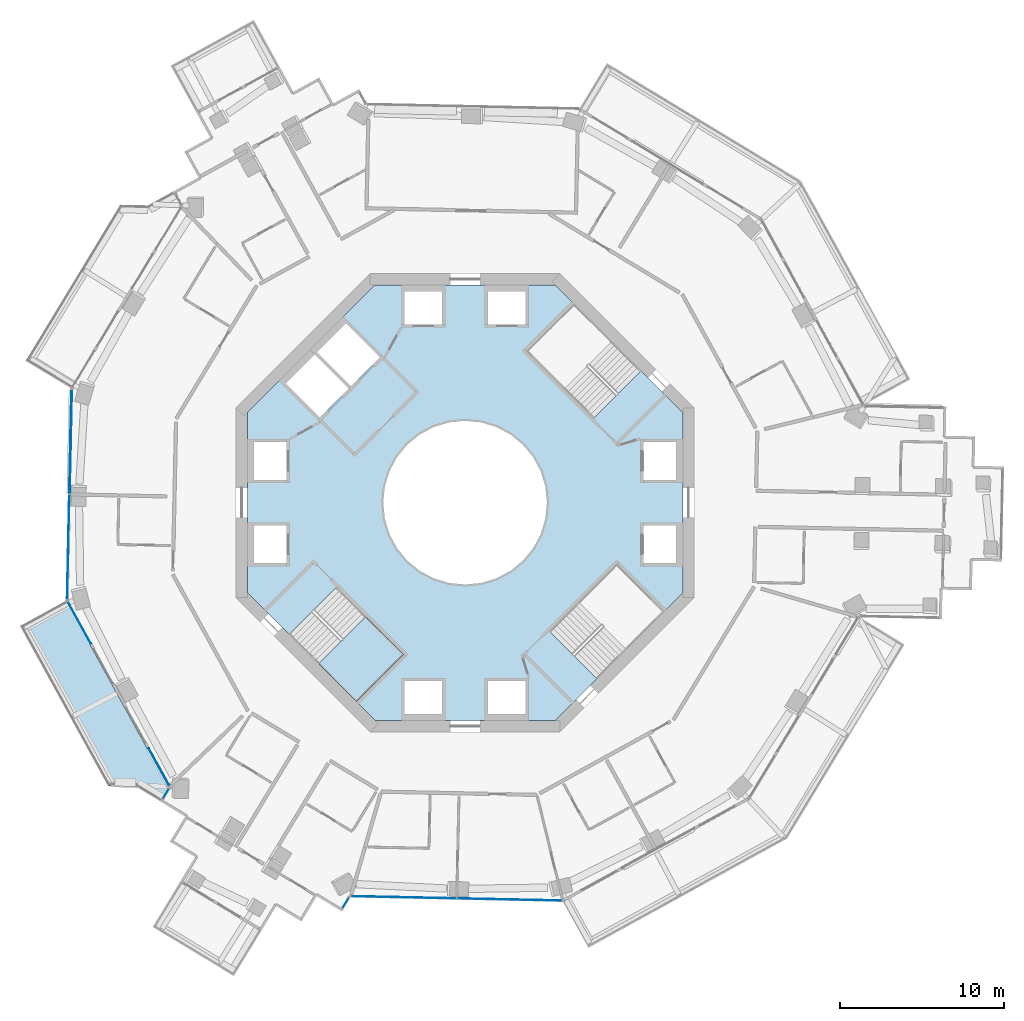
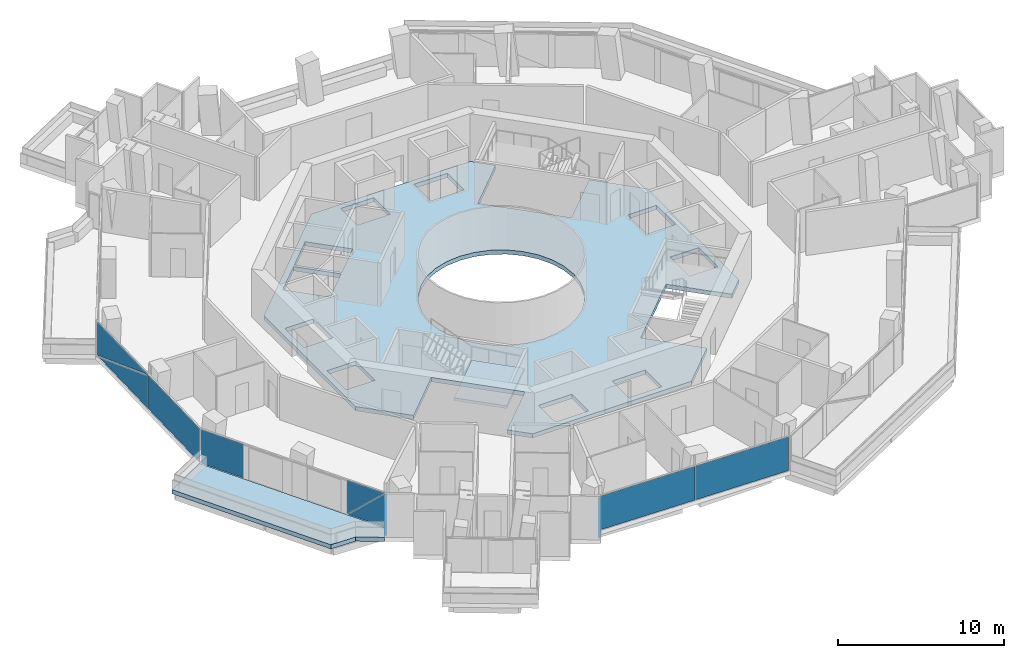
# One storey, part 11 of 22: 10 plates, 3 slabs, 6 elements without a shape of their own.
"""IFC4 building model written with IfcOpenShell, lengths in metres."""

from ifc_helpers import new_model, si_unit, direction, frame, origin, origin_2d, place, context, subcontext, project, spatial, polyline, rectangle, outline, extrude, material, layer, layer_set, type_object, element, aggregate, save


model = new_model("IFC4")

# Units and contexts
model_context = context("Model", 3, precision=1e-05, world=origin(), true_north=direction((0.0, 1.0)))
body_context = subcontext(model_context, "Body", "Model", "MODEL_VIEW")
ifc_project = project(units=[si_unit("LENGTHUNIT", "METRE"), si_unit("AREAUNIT", "SQUARE_METRE"), si_unit("VOLUMEUNIT", "CUBIC_METRE"), si_unit("PLANEANGLEUNIT", "RADIAN"), si_unit("MASSUNIT", "GRAM", prefix="KILO")], contexts=[model_context])

# Site, building, storey
site_placement = place(None, origin())
site = spatial("IfcSite", under=ifc_project, at=site_placement, CompositionType="ELEMENT")
building_placement = place(site_placement, origin())
building = spatial("IfcBuilding", under=site, at=building_placement, Name="Verdalira Terraces Hotel", CompositionType="ELEMENT")
storey_placement = place(building_placement, frame((0.0, 0.0, 150.5)))
storey = spatial("IfcBuildingStorey", under=building, at=storey_placement, Name="L36", CompositionType="ELEMENT", Elevation=150.5)

# Slab
ifc_material_1 = material(Name="Precast concrete C40/50", Category="concrete")
ifc_layer_1 = layer(ifc_material_1, 0.31005859375)
ifc_layer_set_1 = layer_set([ifc_layer_1], Name="Balcony deck 310")
slab_type_1 = type_object("IfcSlabType", Name="Balcony deck 310", PredefinedType="FLOOR", material=ifc_layer_set_1)
slab_1_placement = place(storey_placement, frame((0.0, 0.0, -0.310059)))
element("IfcSlab", 1, at=slab_1_placement, inside=storey, type_object=slab_type_1, Name="Balcony deck", PredefinedType="FLOOR", context=body_context, shape_type="SweptSolid", body=[
    extrude(outline(polyline([(-27.193359, -7.532227), (-21.820557, -17.305176), (-20.125977, -17.340576), (-18.644287, -18.237793), (-18.126221, -17.382568), (-24.38916, -5.990479), (-27.193359, -7.532227)])), origin(), (0.0, 0.0, 1.0), 0.310059),
])

# Curtain wall, plates
ifc_material_2 = material(Name="Clear glass", Category="glass")
ifc_layer_2 = layer(ifc_material_2, 0.14990234375)
ifc_layer_set_2 = layer_set([ifc_layer_2], Name="CW1 curtain wall")
curtain_wall_type_1 = type_object("IfcCurtainWallType", Name="CW1 curtain wall", PredefinedType="NOTDEFINED", material=ifc_layer_set_2)
curtain_wall_1_placement = place(storey_placement, origin())
curtain_wall_1 = element("IfcCurtainWall", 2, at=curtain_wall_1_placement, inside=storey, type_object=curtain_wall_type_1, Name="CW1 curtain wall L36 edge 12", PredefinedType="NOTDEFINED")
ifc_material_3 = material(Name="Clear glass", Category="glass")
ifc_layer_3 = layer(ifc_material_3, 0.028076171875)
ifc_layer_set_3 = layer_set([ifc_layer_3], Name="CW1 glass unit 28")
plate_type_1 = type_object("IfcPlateType", Name="CW1 glass unit 28", PredefinedType="CURTAIN_PANEL", material=ifc_layer_set_3)
plate_1_placement = place(storey_placement, frame((-24.09668, 3.720459, 1.237549), z_axis=(-0.999780683, 0.02094242, 0.0), x_axis=(-0.02094242, -0.999780683, 0.0)))
plate_1 = element("IfcPlate", 3, at=plate_1_placement, type_object=plate_type_1, Name="CW1 glass unit", PredefinedType="CURTAIN_PANEL", context=body_context, shape_type="SweptSolid", body=[
    extrude(outline(polyline([(-3.185059, -1.237549), (3.185059, -1.237549), (3.185059, 1.237549), (-3.185059, -1.237549)])), origin(), (0.0, 0.0, 1.0), 0.028076),
])
plate_2_placement = place(storey_placement, frame((-24.067627, 3.719727, 1.237549), z_axis=(-0.999780683, 0.02094242, 0.0), x_axis=(-0.02094242, -0.999780683, 0.0)))
plate_2 = element("IfcPlate", 4, at=plate_2_placement, type_object=plate_type_1, Name="CW1 glass unit", PredefinedType="CURTAIN_PANEL", context=body_context, shape_type="SweptSolid", body=[
    extrude(outline(polyline([(-3.185059, -1.237549), (3.185059, 1.237549), (-3.185059, 1.237549), (-3.185059, -1.237549)])), origin(), (0.0, 0.0, 1.0), 0.028076),
])
plate_3_placement = place(storey_placement, frame((-24.245361, -2.707764, 0.0), z_axis=(0.0, 0.0, 1.0), x_axis=(-0.02094242, -0.999780683, 0.0)))
plate_3 = element("IfcPlate", 5, at=plate_3_placement, type_object=plate_type_1, Name="CW1 glass unit", PredefinedType="CURTAIN_PANEL", context=body_context, shape_type="SweptSolid", body=[
    extrude(rectangle(XDim=6.369873, YDim=0.028076, at=origin_2d()), origin(), (0.0, 0.0, 1.0), 2.475098),
])
aggregate(curtain_wall_1, [plate_1, plate_2, plate_3])

curtain_wall_2_placement = place(storey_placement, origin())
curtain_wall_2 = element("IfcCurtainWall", 6, at=curtain_wall_2_placement, inside=storey, type_object=curtain_wall_type_1, Name="CW1 curtain wall L36 edge 13", PredefinedType="NOTDEFINED")
plate_4_placement = place(storey_placement, frame((-23.570557, -7.32373, 0.0), z_axis=(0.0, 0.0, 1.0), x_axis=(0.481753674, -0.87630668, 0.0)))
plate_4 = element("IfcPlate", 7, at=plate_4_placement, type_object=plate_type_1, Name="CW1 glass unit", PredefinedType="CURTAIN_PANEL", context=body_context, shape_type="SweptSolid", body=[
    extrude(rectangle(XDim=2.924805, YDim=0.028076, at=origin_2d()), origin(), (0.0, 0.0, 1.0), 2.475098),
])
plate_5_placement = place(storey_placement, frame((-18.70459, -16.145752, 1.237549), z_axis=(-0.87630668, -0.481753674, 0.0), x_axis=(0.481753674, -0.87630668, 0.0)))
plate_5 = element("IfcPlate", 8, at=plate_5_placement, type_object=plate_type_1, Name="CW1 glass unit", PredefinedType="CURTAIN_PANEL", context=body_context, shape_type="SweptSolid", body=[
    extrude(outline(polyline([(-1.302246, -1.237549), (1.302246, -1.237549), (1.302246, 1.237549), (-1.302246, -1.237549)])), origin(), (0.0, 0.0, 1.0), 0.028076),
])
plate_6_placement = place(storey_placement, frame((-18.678955, -16.131836, 1.237549), z_axis=(-0.87630668, -0.481753674, 0.0), x_axis=(0.481753674, -0.87630668, 0.0)))
plate_6 = element("IfcPlate", 9, at=plate_6_placement, type_object=plate_type_1, Name="CW1 glass unit", PredefinedType="CURTAIN_PANEL", context=body_context, shape_type="SweptSolid", body=[
    extrude(outline(polyline([(-1.302246, -1.237549), (1.302246, 1.237549), (-1.302246, 1.237549), (-1.302246, -1.237549)])), origin(), (0.0, 0.0, 1.0), 0.028076),
])
aggregate(curtain_wall_2, [plate_4, plate_5, plate_6])

curtain_wall_3_placement = place(storey_placement, origin())
curtain_wall_3 = element("IfcCurtainWall", 10, at=curtain_wall_3_placement, inside=storey, type_object=curtain_wall_type_1, Name="CW1 curtain wall L36 edge 25", PredefinedType="NOTDEFINED")
plate_7_placement = place(storey_placement, frame((-3.740723, -24.110352, 0.0), z_axis=(0.0, 0.0, 1.0), x_axis=(0.999780683, -0.02094242, 0.0)))
plate_7 = element("IfcPlate", 11, at=plate_7_placement, type_object=plate_type_1, Name="CW1 glass unit", PredefinedType="CURTAIN_PANEL", context=body_context, shape_type="SweptSolid", body=[
    extrude(rectangle(XDim=6.409912, YDim=0.028076, at=origin_2d()), origin(), (0.0, 0.0, 1.0), 2.475098),
])
plate_8_placement = place(storey_placement, frame((2.707764, -24.245361, 0.0), z_axis=(0.0, 0.0, 1.0), x_axis=(0.999780683, -0.02094242, 0.0)))
plate_8 = element("IfcPlate", 12, at=plate_8_placement, type_object=plate_type_1, Name="CW1 glass unit", PredefinedType="CURTAIN_PANEL", context=body_context, shape_type="SweptSolid", body=[
    extrude(rectangle(XDim=6.369873, YDim=0.028076, at=origin_2d()), origin(), (0.0, 0.0, 1.0), 2.475098),
])
aggregate(curtain_wall_3, [plate_7, plate_8])

# Curtain wall, plate
ifc_material_4 = material(Name="Clear glass", Category="glass")
ifc_layer_4 = layer(ifc_material_4, 0.14990234375)
ifc_layer_set_4 = layer_set([ifc_layer_4], Name="CW2 curtain wall")
curtain_wall_type_2 = type_object("IfcCurtainWallType", Name="CW2 curtain wall", PredefinedType="NOTDEFINED", material=ifc_layer_set_4)
curtain_wall_4_placement = place(storey_placement, origin())
curtain_wall_4 = element("IfcCurtainWall", 13, at=curtain_wall_4_placement, inside=storey, type_object=curtain_wall_type_2, Name="CW2 curtain wall L36 edge 14", PredefinedType="NOTDEFINED")
ifc_material_5 = material(Name="Clear glass", Category="glass")
ifc_layer_5 = layer(ifc_material_5, 0.031982421875)
ifc_layer_set_5 = layer_set([ifc_layer_5], Name="CW2 glass unit 32")
plate_type_2 = type_object("IfcPlateType", Name="CW2 glass unit 32", PredefinedType="CURTAIN_PANEL", material=ifc_layer_set_5)
plate_9_placement = place(storey_placement, frame((-18.282227, -17.784912, 0.0), z_axis=(0.0, 0.0, 1.0), x_axis=(-0.518027009, -0.85536426, 0.0)))
plate_9 = element("IfcPlate", 14, at=plate_9_placement, type_object=plate_type_2, Name="CW2 glass unit", PredefinedType="CURTAIN_PANEL", context=body_context, shape_type="SweptSolid", body=[
    extrude(rectangle(XDim=0.709961, YDim=0.031982, at=origin_2d()), origin(), (0.0, 0.0, 1.0), 2.475098),
])
aggregate(curtain_wall_4, [plate_9])

curtain_wall_5_placement = place(storey_placement, origin())
curtain_wall_5 = element("IfcCurtainWall", 15, at=curtain_wall_5_placement, inside=storey, type_object=curtain_wall_type_2, Name="CW2 curtain wall L36 edge 24", PredefinedType="NOTDEFINED")
plate_10_placement = place(storey_placement, frame((-7.291016, -24.44165, 0.0), z_axis=(0.0, 0.0, 1.0), x_axis=(0.518027009, 0.85536426, 0.0)))
plate_10 = element("IfcPlate", 16, at=plate_10_placement, type_object=plate_type_2, Name="CW2 glass unit", PredefinedType="CURTAIN_PANEL", context=body_context, shape_type="SweptSolid", body=[
    extrude(rectangle(XDim=0.709961, YDim=0.031982, at=origin_2d()), origin(), (0.0, 0.0, 1.0), 2.475098),
])
aggregate(curtain_wall_5, [plate_10])

# Slab
ifc_material_6 = material(Name="Concrete C40", Category="concrete")
ifc_layer_6 = layer(ifc_material_6, 0.31005859375)
ifc_layer_set_6 = layer_set([ifc_layer_6], Name="Core floor slab 310 mm")
slab_type_2 = type_object("IfcSlabType", Name="Core floor slab 310 mm", PredefinedType="FLOOR", material=ifc_layer_set_6)
slab_2_placement = place(storey_placement, frame((0.0, 0.0, -0.310059)))
element("IfcSlab", 17, at=slab_2_placement, inside=storey, type_object=slab_type_2, Name="L36 core floor", PredefinedType="FLOOR", context=body_context, shape_type="SweptSolid", body=[
    extrude(outline(polyline([(-5.509033, 13.300049), (5.509033, 13.300049), (6.632812, 12.176514), (3.719482, 9.263184), (7.834473, 5.148193), (10.747803, 8.061279), (13.300049, 5.509033), (13.300049, -5.509033), (12.176514, -6.632812), (9.263184, -3.719482), (5.148193, -7.834473), (8.061279, -10.747803), (5.509033, -13.300049), (-5.509033, -13.300049), (-6.632812, -12.176514), (-3.719482, -9.263184), (-7.834473, -5.148193), (-10.747803, -8.061279), (-13.300049, -5.509033), (-13.300049, 5.509033), (-5.509033, 13.300049)]), holes=[polyline([(12.899902, -3.699951), (12.899902, -1.399902), (10.899902, -1.399902), (10.899902, -3.699951), (12.899902, -3.699951)]), polyline([(12.899902, 1.399902), (12.899902, 3.699951), (10.899902, 3.699951), (10.899902, 1.399902), (12.899902, 1.399902)]), polyline([(1.399902, 10.899902), (3.699951, 10.899902), (3.699951, 12.899902), (1.399902, 12.899902), (1.399902, 10.899902)]), polyline([(-3.699951, 10.899902), (-1.399902, 10.899902), (-1.399902, 12.899902), (-3.699951, 12.899902), (-3.699951, 10.899902)]), polyline([(-12.899902, 3.699951), (-12.899902, 1.399902), (-10.899902, 1.399902), (-10.899902, 3.699951), (-12.899902, 3.699951)]), polyline([(-12.899902, -1.399902), (-12.899902, -3.699951), (-10.899902, -3.699951), (-10.899902, -1.399902), (-12.899902, -1.399902)]), polyline([(-1.399902, -10.899902), (-3.699951, -10.899902), (-3.699951, -12.899902), (-1.399902, -12.899902), (-1.399902, -10.899902)]), polyline([(3.699951, -10.899902), (1.399902, -10.899902), (1.399902, -12.899902), (3.699951, -12.899902), (3.699951, -10.899902)]), polyline([(-9.051025, 9.192383), (-6.965088, 7.106445), (-5.197266, 8.874268), (-7.283203, 10.960205), (-9.051025, 9.192383)]), polyline([(-9.192383, 9.051025), (-10.960205, 7.283203), (-8.874268, 5.197266), (-7.106445, 6.965088), (-9.192383, 9.051025)]), polyline([(3.5354, 3.5354), (2.777832, 4.157227), (1.91333, 4.619385), (0.975586, 4.903809), (0.0, 5.0), (-0.975586, 4.903809), (-1.91333, 4.619385), (-2.777832, 4.157227), (-3.5354, 3.5354), (-4.157227, 2.777832), (-4.619385, 1.91333), (-4.903809, 0.975586), (-5.0, 0.0), (-4.903809, -0.975586), (-4.619385, -1.91333), (-4.157227, -2.777832), (-3.5354, -3.5354), (-2.777832, -4.157227), (-1.91333, -4.619385), (-0.975586, -4.903809), (0.0, -5.0), (0.975586, -4.903809), (1.91333, -4.619385), (2.777832, -4.157227), (3.5354, -3.5354), (4.157227, -2.777832), (4.619385, -1.91333), (4.903809, -0.975586), (5.0, 0.0), (4.903809, 0.975586), (4.619385, 1.91333), (4.157227, 2.777832), (3.5354, 3.5354)])]), origin(), (0.0, 0.0, 1.0), 0.310059),
])

# Stair, slab
ifc_material_7 = material(Name="Concrete C40", Category="concrete")
stair_type = type_object("IfcStairType", Name="Core stair 20 risers 2000 mm wide", PredefinedType="HALF_TURN_STAIR", material=ifc_material_7)
stair_placement = place(storey_placement, origin())
stair = element("IfcStair", 18, at=stair_placement, inside=storey, type_object=stair_type, Name="L36 Exit stair ST2", PredefinedType="HALF_TURN_STAIR")
ifc_material_8 = material(Name="Concrete C40", Category="concrete")
ifc_layer_7 = layer(ifc_material_8, 0.199951171875)
ifc_layer_set_7 = layer_set([ifc_layer_7], Name="Core stair landing 200 mm")
slab_type_3 = type_object("IfcSlabType", Name="Core stair landing 200 mm", PredefinedType="LANDING", material=ifc_layer_set_7)
slab_3_placement = place(storey_placement, frame((0.0, 0.0, 1.550049)))
slab_3 = element("IfcSlab", 19, at=slab_3_placement, type_object=slab_type_3, Name="ST2 landing 1", PredefinedType="LANDING", context=body_context, shape_type="SweptSolid", body=[
    extrude(outline(polyline([(-8.966553, -9.842529), (-6.646729, -12.162354), (-3.747559, -9.263184), (-6.067383, -6.943359), (-8.966553, -9.842529)])), origin(), (0.0, 0.0, 1.0), 0.199951),
])
aggregate(stair, [slab_3])

save(model, "model.ifc")
